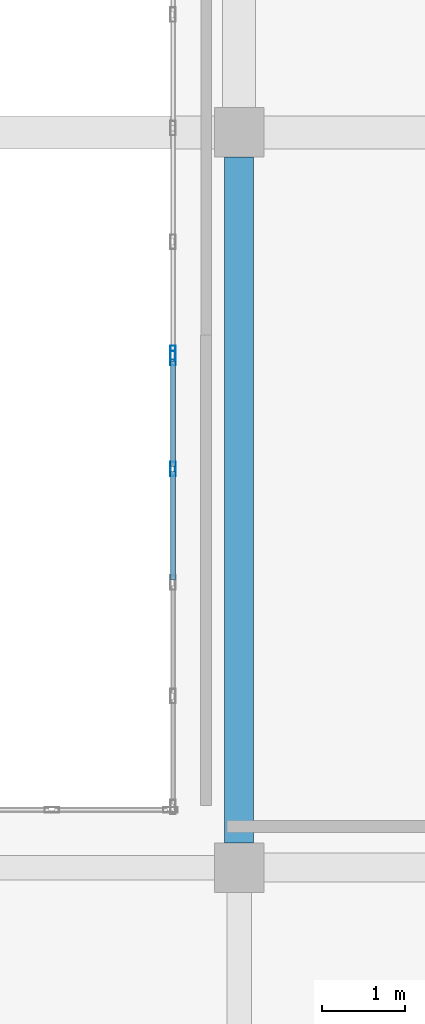
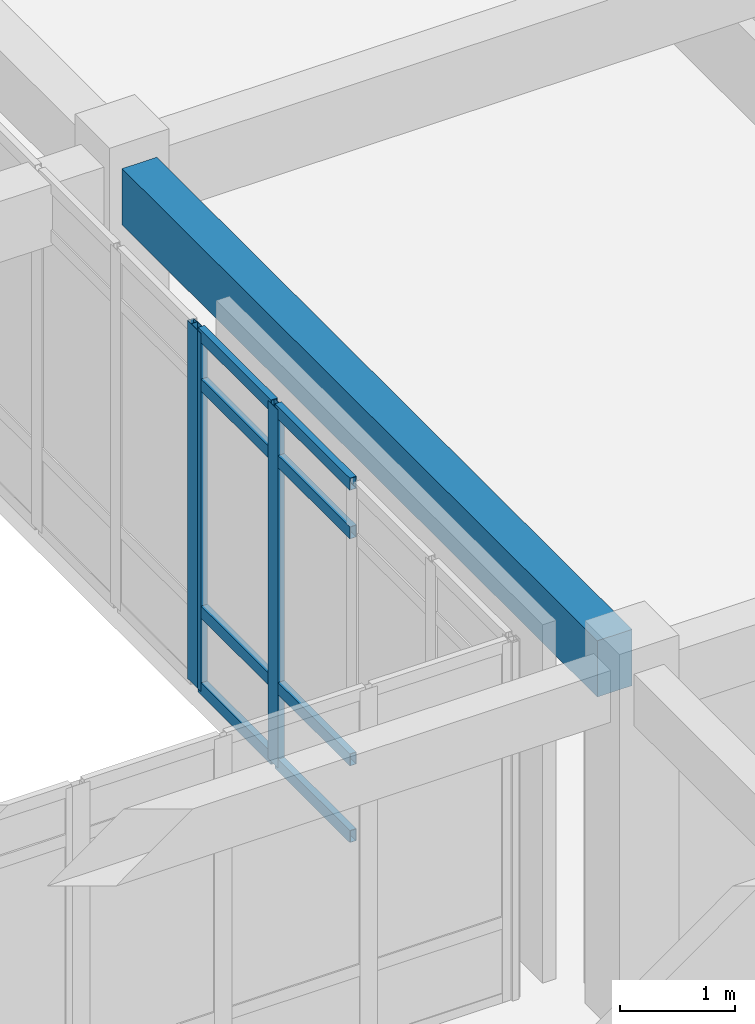
# One storey, part 97 of 146: 11 members, 1 beam, 2 elements without a shape of their own.
"""IFC4 building model written with IfcOpenShell, lengths in metres."""

from ifc_helpers import new_model, si_unit, direction, frame, origin, origin_2d, place, context, subcontext, project, spatial, rectangle, hollow_rectangle, extrude, material, layer, layer_set, material_profile, profile_set, type_object, element, aggregate, save


model = new_model("IFC4")

# Units and contexts
model_context = context("Model", 3, precision=1e-05, world=origin(), true_north=direction((0.0, 1.0)))
body_context = subcontext(model_context, "Body", "Model", "MODEL_VIEW")
ifc_project = project(units=[si_unit("LENGTHUNIT", "METRE"), si_unit("AREAUNIT", "SQUARE_METRE"), si_unit("VOLUMEUNIT", "CUBIC_METRE"), si_unit("PLANEANGLEUNIT", "RADIAN"), si_unit("MASSUNIT", "GRAM", prefix="KILO")], contexts=[model_context])

# Site, building, storey
site_placement = place(None, origin())
site = spatial("IfcSite", under=ifc_project, at=site_placement, CompositionType="ELEMENT")
building_placement = place(site_placement, origin())
building = spatial("IfcBuilding", under=site, at=building_placement, Name="Valcora Specialist Clinic", CompositionType="ELEMENT")
storey_placement = place(building_placement, frame((0.0, 0.0, 9.52001953125)))
storey = spatial("IfcBuildingStorey", under=building, at=storey_placement, Name="L02", CompositionType="ELEMENT", Elevation=9.52001953125)

# Beam
ifc_material_1 = material(Name="Concrete C40/50", Category="concrete")
ifc_material_profile_1 = material_profile(ifc_material_1, rectangle(XDim=0.35009765625, YDim=0.60009765625, at=origin_2d()), Name="RC-BM-350X600")
ifc_profile_set_1 = profile_set([ifc_material_profile_1], Name="Concrete C40/50")
beam_type = type_object("IfcBeamType", Name="TY-BM-RC350X600", PredefinedType="BEAM", material=ifc_profile_set_1)
beam_placement = place(storey_placement, frame((126.0, 81.60009765625, 3.52001953125), z_axis=(0.0, 1.0, 0.0), x_axis=(-1.0, 0.0, 0.0)))
element("IfcBeam", 1, at=beam_placement, inside=storey, type_object=beam_type, Name="Beam BM-L02-0762", PredefinedType="BEAM", context=body_context, shape_type="SweptSolid", body=[
    extrude(rectangle(XDim=0.35009765625, YDim=0.60009765625, at=origin_2d()), origin(), (0.0, 0.0, 1.0), 8.2998046875),
])

# Curtain wall, members
ifc_material_2 = material(Name="Anodized Bronze Aluminium 6063-T6", Category="aluminium")
ifc_layer = layer(ifc_material_2, 0.175048828125)
ifc_layer_set = layer_set([ifc_layer], Name="Anodized Bronze Aluminium 6063-T6")
curtain_wall_type = type_object("IfcCurtainWallType", Name="TY-CW-CRT15", PredefinedType="NOTDEFINED", material=ifc_layer_set)
curtain_wall_1_placement = place(storey_placement, origin())
curtain_wall_1 = element("IfcCurtainWall", 2, at=curtain_wall_1_placement, inside=storey, type_object=curtain_wall_type, Name="Curtain wall CW-L02-108", PredefinedType="NOTDEFINED")
ifc_material_profile_2 = material_profile(ifc_material_2, hollow_rectangle(XDim=0.06494140625, YDim=0.175048828125, WallThickness=0.00390625, at=origin_2d()), Name="AL-MUL-65X175")
ifc_profile_set_2 = profile_set([ifc_material_profile_2], Name="Anodized Bronze Aluminium 6063-T6")
member_type_1 = type_object("IfcMemberType", Name="TY-CWM-65X175", PredefinedType="MULLION", material=ifc_profile_set_2)
member_1_placement = place(storey_placement, frame((125.199951171875, 86.125, 0.0), z_axis=(0.0, 0.0, 1.0), x_axis=(-1.0, 0.0, 0.0)))
member_1 = element("IfcMember", 3, at=member_1_placement, type_object=member_type_1, Name="CW-CRT-15 mullion 4", PredefinedType="MULLION", context=body_context, shape_type="SweptSolid", body=[
    extrude(hollow_rectangle(XDim=0.06494140625, YDim=0.175048828125, WallThickness=0.00390625, at=origin_2d()), origin(), (0.0, 0.0, 1.0), 3.820068359375),
])
member_2_placement = place(storey_placement, frame((125.199951171875, 87.467529296875, 0.0), z_axis=(0.0, 0.0, 1.0), x_axis=(-1.0, 0.0, 0.0)))
member_2 = element("IfcMember", 4, at=member_2_placement, type_object=member_type_1, Name="CW-CRT-15 mullion 5", PredefinedType="MULLION", context=body_context, shape_type="SweptSolid", body=[
    extrude(hollow_rectangle(XDim=0.06494140625, YDim=0.175048828125, WallThickness=0.00390625, at=origin_2d()), origin(), (0.0, 0.0, 1.0), 3.820068359375),
])

# Curtain wall, member
curtain_wall_2_placement = place(storey_placement, origin())
curtain_wall_2 = element("IfcCurtainWall", 5, at=curtain_wall_2_placement, inside=storey, type_object=curtain_wall_type, Name="Curtain wall CW-L02-109", PredefinedType="NOTDEFINED")
member_3_placement = place(storey_placement, frame((125.199951171875, 87.532470703125, 0.0), z_axis=(0.0, 0.0, 1.0), x_axis=(-1.0, 0.0, 0.0)))
member_3 = element("IfcMember", 6, at=member_3_placement, type_object=member_type_1, Name="CW-CRT-15 mullion 1", PredefinedType="MULLION", context=body_context, shape_type="SweptSolid", body=[
    extrude(hollow_rectangle(XDim=0.06494140625, YDim=0.175048828125, WallThickness=0.00390625, at=origin_2d()), origin(), (0.0, 0.0, 1.0), 3.820068359375),
])
aggregate(curtain_wall_2, [member_3])

# Member
ifc_material_profile_3 = material_profile(ifc_material_2, hollow_rectangle(XDim=0.06494140625, YDim=0.1298828125, WallThickness=0.00390625, at=origin_2d()), Name="AL-TRN-65X130")
ifc_profile_set_3 = profile_set([ifc_material_profile_3], Name="Anodized Bronze Aluminium 6063-T6")
member_type_2 = type_object("IfcMemberType", Name="TY-CWT-65X130", PredefinedType="USERDEFINED", material=ifc_profile_set_3)
member_4_placement = place(storey_placement, frame((125.199951171875, 84.782470703125, 0.032470703125), z_axis=(0.0, 1.0, 0.0), x_axis=(-1.0, 0.0, 0.0)))
member_4 = element("IfcMember", 7, at=member_4_placement, type_object=member_type_2, Name="CW-CRT-15 transom 3.1", ObjectType="TRANSOM", PredefinedType="USERDEFINED", context=body_context, shape_type="SweptSolid", body=[
    extrude(hollow_rectangle(XDim=0.06494140625, YDim=0.1298828125, WallThickness=0.00390625, at=origin_2d()), origin(), (0.0, 0.0, 1.0), 1.31005859375),
])

member_5_placement = place(storey_placement, frame((125.199951171875, 84.782470703125, 0.85009765625), z_axis=(0.0, 1.0, 0.0), x_axis=(-1.0, 0.0, 0.0)))
member_5 = element("IfcMember", 8, at=member_5_placement, type_object=member_type_2, Name="CW-CRT-15 transom 3.2", ObjectType="TRANSOM", PredefinedType="USERDEFINED", context=body_context, shape_type="SweptSolid", body=[
    extrude(hollow_rectangle(XDim=0.06494140625, YDim=0.1298828125, WallThickness=0.00390625, at=origin_2d()), origin(), (0.0, 0.0, 1.0), 1.31005859375),
])

member_6_placement = place(storey_placement, frame((125.199951171875, 84.782470703125, 3.27001953125), z_axis=(0.0, 1.0, 0.0), x_axis=(-1.0, 0.0, 0.0)))
member_6 = element("IfcMember", 9, at=member_6_placement, type_object=member_type_2, Name="CW-CRT-15 transom 3.3", ObjectType="TRANSOM", PredefinedType="USERDEFINED", context=body_context, shape_type="SweptSolid", body=[
    extrude(hollow_rectangle(XDim=0.06494140625, YDim=0.1298828125, WallThickness=0.00390625, at=origin_2d()), origin(), (0.0, 0.0, 1.0), 1.31005859375),
])

member_7_placement = place(storey_placement, frame((125.199951171875, 84.782470703125, 3.78759765625), z_axis=(0.0, 1.0, 0.0), x_axis=(-1.0, 0.0, 0.0)))
member_7 = element("IfcMember", 10, at=member_7_placement, type_object=member_type_2, Name="CW-CRT-15 transom 3.4", ObjectType="TRANSOM", PredefinedType="USERDEFINED", context=body_context, shape_type="SweptSolid", body=[
    extrude(hollow_rectangle(XDim=0.06494140625, YDim=0.1298828125, WallThickness=0.00390625, at=origin_2d()), origin(), (0.0, 0.0, 1.0), 1.31005859375),
])

member_8_placement = place(storey_placement, frame((125.199951171875, 86.157470703125, 0.032470703125), z_axis=(0.0, 1.0, 0.0), x_axis=(-1.0, 0.0, 0.0)))
member_8 = element("IfcMember", 11, at=member_8_placement, type_object=member_type_2, Name="CW-CRT-15 transom 4.1", ObjectType="TRANSOM", PredefinedType="USERDEFINED", context=body_context, shape_type="SweptSolid", body=[
    extrude(hollow_rectangle(XDim=0.06494140625, YDim=0.1298828125, WallThickness=0.00390625, at=origin_2d()), origin(), (0.0, 0.0, 1.0), 1.277587890625),
])

member_9_placement = place(storey_placement, frame((125.199951171875, 86.157470703125, 0.85009765625), z_axis=(0.0, 1.0, 0.0), x_axis=(-1.0, 0.0, 0.0)))
member_9 = element("IfcMember", 12, at=member_9_placement, type_object=member_type_2, Name="CW-CRT-15 transom 4.2", ObjectType="TRANSOM", PredefinedType="USERDEFINED", context=body_context, shape_type="SweptSolid", body=[
    extrude(hollow_rectangle(XDim=0.06494140625, YDim=0.1298828125, WallThickness=0.00390625, at=origin_2d()), origin(), (0.0, 0.0, 1.0), 1.277587890625),
])

member_10_placement = place(storey_placement, frame((125.199951171875, 86.157470703125, 3.27001953125), z_axis=(0.0, 1.0, 0.0), x_axis=(-1.0, 0.0, 0.0)))
member_10 = element("IfcMember", 13, at=member_10_placement, type_object=member_type_2, Name="CW-CRT-15 transom 4.3", ObjectType="TRANSOM", PredefinedType="USERDEFINED", context=body_context, shape_type="SweptSolid", body=[
    extrude(hollow_rectangle(XDim=0.06494140625, YDim=0.1298828125, WallThickness=0.00390625, at=origin_2d()), origin(), (0.0, 0.0, 1.0), 1.277587890625),
])

member_11_placement = place(storey_placement, frame((125.199951171875, 86.157470703125, 3.78759765625), z_axis=(0.0, 1.0, 0.0), x_axis=(-1.0, 0.0, 0.0)))
member_11 = element("IfcMember", 14, at=member_11_placement, type_object=member_type_2, Name="CW-CRT-15 transom 4.4", ObjectType="TRANSOM", PredefinedType="USERDEFINED", context=body_context, shape_type="SweptSolid", body=[
    extrude(hollow_rectangle(XDim=0.06494140625, YDim=0.1298828125, WallThickness=0.00390625, at=origin_2d()), origin(), (0.0, 0.0, 1.0), 1.277587890625),
])

aggregate(curtain_wall_1, [member_1, member_2, member_4, member_5, member_6, member_7, member_8, member_9, member_10, member_11])

save(model, "model.ifc")
